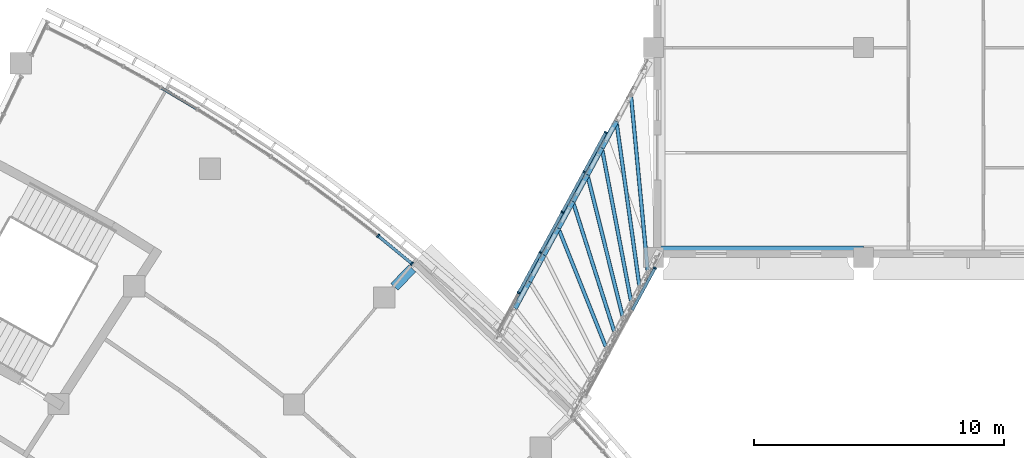
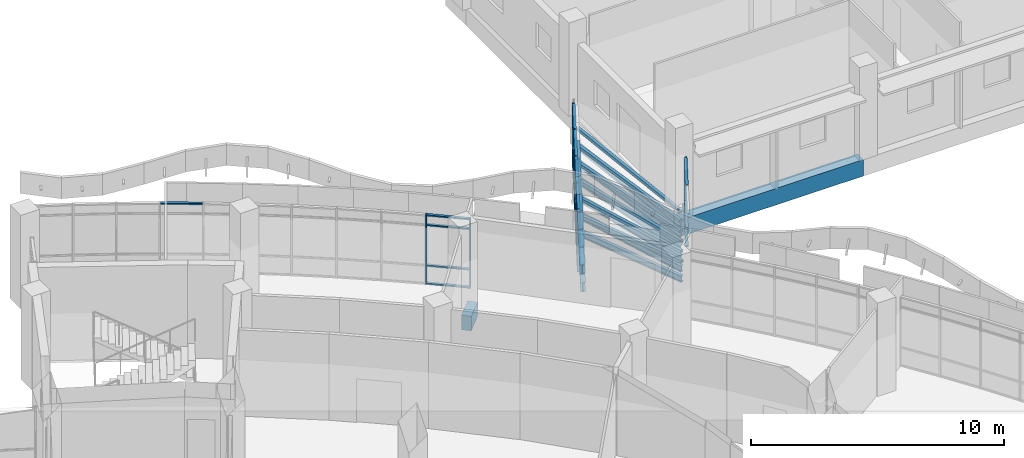
# One storey, part 34 of 136: 54 members, 2 beams, 4 elements without a shape of their own.
"""IFC4 building model written with IfcOpenShell, lengths in metres."""

from ifc_helpers import new_model, si_unit, direction, frame, origin, origin_2d, place, context, subcontext, project, spatial, rectangle, hollow_rectangle, i_section, extrude, material, material_profile, profile_set, type_object, element, aggregate, save


model = new_model("IFC4")

# Units and contexts
model_context = context("Model", 3, precision=1e-05, world=origin(), true_north=direction((0.0, 1.0)))
body_context = subcontext(model_context, "Body", "Model", "MODEL_VIEW")
ifc_project = project(units=[si_unit("LENGTHUNIT", "METRE"), si_unit("AREAUNIT", "SQUARE_METRE"), si_unit("VOLUMEUNIT", "CUBIC_METRE"), si_unit("PLANEANGLEUNIT", "RADIAN"), si_unit("MASSUNIT", "GRAM", prefix="KILO")], contexts=[model_context])

# Site, building, storey
site_placement = place(None, origin())
site = spatial("IfcSite", under=ifc_project, at=site_placement, CompositionType="ELEMENT")
building_placement = place(site_placement, origin())
building = spatial("IfcBuilding", under=site, at=building_placement, Name="Bougainvillea Quay General Hospital", CompositionType="ELEMENT")
storey_placement = place(building_placement, frame((0.0, 0.0, 5.39990234375)))
storey = spatial("IfcBuildingStorey", under=building, at=storey_placement, Name="L01", CompositionType="ELEMENT", Elevation=5.39990234375)

# Curtain wall, members
ifc_material_1 = material(Name="Aluminium curtain wall system, powder-coated glazed", Category="aluminium")
curtain_wall_type = type_object("IfcCurtainWallType", Name="Unitised curtain wall CW-2100", PredefinedType="NOTDEFINED", material=ifc_material_1)
curtain_wall_1_placement = place(storey_placement, origin())
curtain_wall_1 = element("IfcCurtainWall", 1, at=curtain_wall_1_placement, inside=storey, type_object=curtain_wall_type, Name="BG-L L", PredefinedType="NOTDEFINED")
ifc_material_2 = material(Name="Aluminium mullion, powder-coated charcoal", Category="aluminium")
ifc_material_profile_1 = material_profile(ifc_material_2, rectangle(XDim=0.1201171875, YDim=0.06005859375, at=origin_2d()))
ifc_profile_set_1 = profile_set([ifc_material_profile_1], Name="Aluminium mullion, powder-coated charcoal")
member_type_1 = type_object("IfcMemberType", Name="Curtain wall mullion 120x60", PredefinedType="MULLION", material=ifc_profile_set_1)
member_1_placement = place(storey_placement, frame((158.402587890625, 74.183349609375, 0.0), z_axis=(0.0, 0.0, 1.0), x_axis=(-0.878894009781, 0.477017106163, 0.0)))
member_1 = element("IfcMember", 2, at=member_1_placement, type_object=member_type_1, Name="BG-L mullion 2", PredefinedType="MULLION", context=body_context, shape_type="SweptSolid", body=[
    extrude(rectangle(XDim=0.1201171875, YDim=0.06005859375, at=origin_2d()), origin(), (0.0, 0.0, 1.0), 3.0),
])
member_2_placement = place(storey_placement, frame((159.27734375, 75.795166015625, 0.0), z_axis=(0.0, 0.0, 1.0), x_axis=(-0.878894009781, 0.477017106163, 0.0)))
member_2 = element("IfcMember", 3, at=member_2_placement, type_object=member_type_1, Name="BG-L mullion 3", PredefinedType="MULLION", context=body_context, shape_type="SweptSolid", body=[
    extrude(rectangle(XDim=0.1201171875, YDim=0.06005859375, at=origin_2d()), origin(), (0.0, 0.0, 1.0), 3.0),
])
member_3_placement = place(storey_placement, frame((160.152099609375, 77.40673828125, 0.0), z_axis=(0.0, 0.0, 1.0), x_axis=(-0.878894009781, 0.477017106163, 0.0)))
member_3 = element("IfcMember", 4, at=member_3_placement, type_object=member_type_1, Name="BG-L mullion 4", PredefinedType="MULLION", context=body_context, shape_type="SweptSolid", body=[
    extrude(rectangle(XDim=0.1201171875, YDim=0.06005859375, at=origin_2d()), origin(), (0.0, 0.0, 1.0), 3.0),
])
member_4_placement = place(storey_placement, frame((161.02685546875, 79.0185546875, 0.0), z_axis=(0.0, 0.0, 1.0), x_axis=(-0.878894009781, 0.477017106163, 0.0)))
member_4 = element("IfcMember", 5, at=member_4_placement, type_object=member_type_1, Name="BG-L mullion 5", PredefinedType="MULLION", context=body_context, shape_type="SweptSolid", body=[
    extrude(rectangle(XDim=0.1201171875, YDim=0.06005859375, at=origin_2d()), origin(), (0.0, 0.0, 1.0), 3.0),
])
member_5_placement = place(storey_placement, frame((161.88720703125, 80.60400390625, 0.0), z_axis=(0.0, 0.0, 1.0), x_axis=(-0.878894009781, 0.477017106163, 0.0)))
member_5 = element("IfcMember", 6, at=member_5_placement, type_object=member_type_1, Name="BG-L mullion 6", PredefinedType="MULLION", context=body_context, shape_type="SweptSolid", body=[
    extrude(rectangle(XDim=0.1201171875, YDim=0.06005859375, at=origin_2d()), origin(), (0.0, 0.0, 1.0), 3.0),
])

# Curtain wall, member
curtain_wall_2_placement = place(storey_placement, origin())
curtain_wall_2 = element("IfcCurtainWall", 7, at=curtain_wall_2_placement, inside=storey, type_object=curtain_wall_type, Name="BG-R R", PredefinedType="NOTDEFINED")
member_6_placement = place(storey_placement, frame((163.855224609375, 75.173583984375, 0.0), z_axis=(0.0, 0.0, 1.0), x_axis=(0.878894009781, -0.477017106163, 0.0)))
member_6 = element("IfcMember", 8, at=member_6_placement, type_object=member_type_1, Name="BG-R mullion 1", PredefinedType="MULLION", context=body_context, shape_type="SweptSolid", body=[
    extrude(rectangle(XDim=0.1201171875, YDim=0.06005859375, at=origin_2d()), origin(), (0.0, 0.0, 1.0), 3.0),
])

# Curtain wall, members
curtain_wall_3_placement = place(storey_placement, origin())
curtain_wall_3 = element("IfcCurtainWall", 9, at=curtain_wall_3_placement, inside=storey, type_object=curtain_wall_type, Name="CW-E02 a23b1", PredefinedType="NOTDEFINED")
ifc_material_profile_2 = material_profile(ifc_material_2, rectangle(XDim=0.159912109375, YDim=0.06005859375, at=origin_2d()))
ifc_profile_set_2 = profile_set([ifc_material_profile_2], Name="Aluminium mullion, powder-coated charcoal")
member_type_2 = type_object("IfcMemberType", Name="Curtain wall mullion 160x60", PredefinedType="MULLION", material=ifc_profile_set_2)
member_7_placement = place(storey_placement, frame((152.7744140625, 76.464599609375, 0.0), z_axis=(0.0, 0.0, 1.0), x_axis=(0.624719466473, 0.780849273682, 0.0)))
member_7 = element("IfcMember", 10, at=member_7_placement, type_object=member_type_2, Name="CW-E02 mullion 5", PredefinedType="MULLION", context=body_context, shape_type="SweptSolid", body=[
    extrude(rectangle(XDim=0.159912109375, YDim=0.06005859375, at=origin_2d()), origin(), (0.0, 0.0, 1.0), 3.35009765625),
])
member_8_placement = place(storey_placement, frame((154.127197265625, 75.353759765625, 0.0), z_axis=(0.0, 0.0, 1.0), x_axis=(0.634633403626, 0.772813329985, 0.0)))
member_8 = element("IfcMember", 11, at=member_8_placement, type_object=member_type_2, Name="CW-E02 mullion 6", PredefinedType="MULLION", context=body_context, shape_type="SweptSolid", body=[
    extrude(rectangle(XDim=0.159912109375, YDim=0.06005859375, at=origin_2d()), origin(), (0.0, 0.0, 1.0), 3.35009765625),
])

# Curtain wall, member
curtain_wall_4_placement = place(storey_placement, origin())
curtain_wall_4 = element("IfcCurtainWall", 12, at=curtain_wall_4_placement, inside=storey, type_object=curtain_wall_type, Name="CW-E01 a23b0", PredefinedType="NOTDEFINED")
ifc_material_3 = material(Name="Aluminium transom, powder-coated charcoal", Category="aluminium")
ifc_material_profile_3 = material_profile(ifc_material_3, rectangle(XDim=0.1201171875, YDim=0.06005859375, at=origin_2d()))
ifc_profile_set_3 = profile_set([ifc_material_profile_3], Name="Aluminium transom, powder-coated charcoal")
member_type_3 = type_object("IfcMemberType", Name="Curtain wall transom 120x60", PredefinedType="USERDEFINED", material=ifc_profile_set_3)
member_9_placement = place(storey_placement, frame((144.099609375, 82.39111328125, 3.320068359375), z_axis=(0.859856770964, -0.510535340038, 0.0), x_axis=(0.510535340038, 0.859856770964, 0.0)))
member_9 = element("IfcMember", 13, at=member_9_placement, type_object=member_type_3, Name="CW-E01 transom 4.4", ObjectType="TRANSOM", PredefinedType="USERDEFINED", context=body_context, shape_type="SweptSolid", body=[
    extrude(rectangle(XDim=0.1201171875, YDim=0.06005859375, at=origin_2d()), origin(), (0.0, 0.0, 1.0), 1.652099609375),
])
aggregate(curtain_wall_4, [member_9])

# Member
member_10_placement = place(storey_placement, frame((152.797607421875, 76.445556640625, 0.030029296875), z_axis=(0.7728299722, -0.634613137329, 0.0), x_axis=(0.634613137329, 0.7728299722, 0.0)))
member_10 = element("IfcMember", 14, at=member_10_placement, type_object=member_type_3, Name="CW-E02 transom 5.1", ObjectType="TRANSOM", PredefinedType="USERDEFINED", context=body_context, shape_type="SweptSolid", body=[
    extrude(rectangle(XDim=0.1201171875, YDim=0.06005859375, at=origin_2d()), origin(), (0.0, 0.0, 1.0), 1.6904296875),
])

member_11_placement = place(storey_placement, frame((152.797607421875, 76.445556640625, 0.900146484375), z_axis=(0.7728299722, -0.634613137329, 0.0), x_axis=(0.634613137329, 0.7728299722, 0.0)))
member_11 = element("IfcMember", 15, at=member_11_placement, type_object=member_type_3, Name="CW-E02 transom 5.2", ObjectType="TRANSOM", PredefinedType="USERDEFINED", context=body_context, shape_type="SweptSolid", body=[
    extrude(rectangle(XDim=0.1201171875, YDim=0.06005859375, at=origin_2d()), origin(), (0.0, 0.0, 1.0), 1.6904296875),
])

member_12_placement = place(storey_placement, frame((152.797607421875, 76.445556640625, 2.85009765625), z_axis=(0.7728299722, -0.634613137329, 0.0), x_axis=(0.634613137329, 0.7728299722, 0.0)))
member_12 = element("IfcMember", 16, at=member_12_placement, type_object=member_type_3, Name="CW-E02 transom 5.3", ObjectType="TRANSOM", PredefinedType="USERDEFINED", context=body_context, shape_type="SweptSolid", body=[
    extrude(rectangle(XDim=0.1201171875, YDim=0.06005859375, at=origin_2d()), origin(), (0.0, 0.0, 1.0), 1.6904296875),
])

member_13_placement = place(storey_placement, frame((152.797607421875, 76.445556640625, 3.320068359375), z_axis=(0.7728299722, -0.634613137329, 0.0), x_axis=(0.634613137329, 0.7728299722, 0.0)))
member_13 = element("IfcMember", 17, at=member_13_placement, type_object=member_type_3, Name="CW-E02 transom 5.4", ObjectType="TRANSOM", PredefinedType="USERDEFINED", context=body_context, shape_type="SweptSolid", body=[
    extrude(rectangle(XDim=0.1201171875, YDim=0.06005859375, at=origin_2d()), origin(), (0.0, 0.0, 1.0), 1.6904296875),
])

aggregate(curtain_wall_3, [member_7, member_8, member_10, member_11, member_12, member_13])

member_14_placement = place(storey_placement, frame((158.416748046875, 74.209716796875, 0.030029296875), z_axis=(0.477018968705, 0.878892998889, 0.0), x_axis=(-0.878892998889, 0.477018968705, 0.0)))
member_14 = element("IfcMember", 18, at=member_14_placement, type_object=member_type_3, Name="BG-L transom 2.1", ObjectType="TRANSOM", PredefinedType="USERDEFINED", context=body_context, shape_type="SweptSolid", body=[
    extrude(rectangle(XDim=0.1201171875, YDim=0.06005859375, at=origin_2d()), origin(), (0.0, 0.0, 1.0), 1.77392578125),
])

member_15_placement = place(storey_placement, frame((158.416748046875, 74.209716796875, 0.900146484375), z_axis=(0.477018968705, 0.878892998889, 0.0), x_axis=(-0.878892998889, 0.477018968705, 0.0)))
member_15 = element("IfcMember", 19, at=member_15_placement, type_object=member_type_3, Name="BG-L transom 2.2", ObjectType="TRANSOM", PredefinedType="USERDEFINED", context=body_context, shape_type="SweptSolid", body=[
    extrude(rectangle(XDim=0.1201171875, YDim=0.06005859375, at=origin_2d()), origin(), (0.0, 0.0, 1.0), 1.77392578125),
])

member_16_placement = place(storey_placement, frame((158.416748046875, 74.209716796875, 2.97021484375), z_axis=(0.477018968705, 0.878892998889, 0.0), x_axis=(-0.878892998889, 0.477018968705, 0.0)))
member_16 = element("IfcMember", 20, at=member_16_placement, type_object=member_type_3, Name="BG-L transom 2.3", ObjectType="TRANSOM", PredefinedType="USERDEFINED", context=body_context, shape_type="SweptSolid", body=[
    extrude(rectangle(XDim=0.1201171875, YDim=0.06005859375, at=origin_2d()), origin(), (0.0, 0.0, 1.0), 1.77392578125),
])

member_17_placement = place(storey_placement, frame((159.29150390625, 75.821533203125, 0.030029296875), z_axis=(0.477076675046, 0.878861676333, 0.0), x_axis=(-0.878861676333, 0.477076675046, 0.0)))
member_17 = element("IfcMember", 21, at=member_17_placement, type_object=member_type_3, Name="BG-L transom 3.1", ObjectType="TRANSOM", PredefinedType="USERDEFINED", context=body_context, shape_type="SweptSolid", body=[
    extrude(rectangle(XDim=0.1201171875, YDim=0.06005859375, at=origin_2d()), origin(), (0.0, 0.0, 1.0), 1.773681640625),
])

member_18_placement = place(storey_placement, frame((159.29150390625, 75.821533203125, 0.900146484375), z_axis=(0.477076675046, 0.878861676333, 0.0), x_axis=(-0.878861676333, 0.477076675046, 0.0)))
member_18 = element("IfcMember", 22, at=member_18_placement, type_object=member_type_3, Name="BG-L transom 3.2", ObjectType="TRANSOM", PredefinedType="USERDEFINED", context=body_context, shape_type="SweptSolid", body=[
    extrude(rectangle(XDim=0.1201171875, YDim=0.06005859375, at=origin_2d()), origin(), (0.0, 0.0, 1.0), 1.773681640625),
])

member_19_placement = place(storey_placement, frame((159.29150390625, 75.821533203125, 2.97021484375), z_axis=(0.477076675046, 0.878861676333, 0.0), x_axis=(-0.878861676333, 0.477076675046, 0.0)))
member_19 = element("IfcMember", 23, at=member_19_placement, type_object=member_type_3, Name="BG-L transom 3.3", ObjectType="TRANSOM", PredefinedType="USERDEFINED", context=body_context, shape_type="SweptSolid", body=[
    extrude(rectangle(XDim=0.1201171875, YDim=0.06005859375, at=origin_2d()), origin(), (0.0, 0.0, 1.0), 1.773681640625),
])

member_20_placement = place(storey_placement, frame((160.166259765625, 77.43310546875, 0.030029296875), z_axis=(0.477018968705, 0.878892998889, 0.0), x_axis=(-0.878892998889, 0.477018968705, 0.0)))
member_20 = element("IfcMember", 24, at=member_20_placement, type_object=member_type_3, Name="BG-L transom 4.1", ObjectType="TRANSOM", PredefinedType="USERDEFINED", context=body_context, shape_type="SweptSolid", body=[
    extrude(rectangle(XDim=0.1201171875, YDim=0.06005859375, at=origin_2d()), origin(), (0.0, 0.0, 1.0), 1.77392578125),
])

member_21_placement = place(storey_placement, frame((160.166259765625, 77.43310546875, 0.900146484375), z_axis=(0.477018968705, 0.878892998889, 0.0), x_axis=(-0.878892998889, 0.477018968705, 0.0)))
member_21 = element("IfcMember", 25, at=member_21_placement, type_object=member_type_3, Name="BG-L transom 4.2", ObjectType="TRANSOM", PredefinedType="USERDEFINED", context=body_context, shape_type="SweptSolid", body=[
    extrude(rectangle(XDim=0.1201171875, YDim=0.06005859375, at=origin_2d()), origin(), (0.0, 0.0, 1.0), 1.77392578125),
])

member_22_placement = place(storey_placement, frame((160.166259765625, 77.43310546875, 2.97021484375), z_axis=(0.477018968705, 0.878892998889, 0.0), x_axis=(-0.878892998889, 0.477018968705, 0.0)))
member_22 = element("IfcMember", 26, at=member_22_placement, type_object=member_type_3, Name="BG-L transom 4.3", ObjectType="TRANSOM", PredefinedType="USERDEFINED", context=body_context, shape_type="SweptSolid", body=[
    extrude(rectangle(XDim=0.1201171875, YDim=0.06005859375, at=origin_2d()), origin(), (0.0, 0.0, 1.0), 1.77392578125),
])

member_23_placement = place(storey_placement, frame((161.041015625, 79.044921875, 0.030029296875), z_axis=(0.47708568427, 0.878856785753, 0.0), x_axis=(-0.878856785753, 0.47708568427, 0.0)))
member_23 = element("IfcMember", 27, at=member_23_placement, type_object=member_type_3, Name="BG-L transom 5.1", ObjectType="TRANSOM", PredefinedType="USERDEFINED", context=body_context, shape_type="SweptSolid", body=[
    extrude(rectangle(XDim=0.1201171875, YDim=0.06005859375, at=origin_2d()), origin(), (0.0, 0.0, 1.0), 1.743896484375),
])

member_24_placement = place(storey_placement, frame((161.041015625, 79.044921875, 0.900146484375), z_axis=(0.47708568427, 0.878856785753, 0.0), x_axis=(-0.878856785753, 0.47708568427, 0.0)))
member_24 = element("IfcMember", 28, at=member_24_placement, type_object=member_type_3, Name="BG-L transom 5.2", ObjectType="TRANSOM", PredefinedType="USERDEFINED", context=body_context, shape_type="SweptSolid", body=[
    extrude(rectangle(XDim=0.1201171875, YDim=0.06005859375, at=origin_2d()), origin(), (0.0, 0.0, 1.0), 1.743896484375),
])

member_25_placement = place(storey_placement, frame((161.041015625, 79.044921875, 2.97021484375), z_axis=(0.47708568427, 0.878856785753, 0.0), x_axis=(-0.878856785753, 0.47708568427, 0.0)))
member_25 = element("IfcMember", 29, at=member_25_placement, type_object=member_type_3, Name="BG-L transom 5.3", ObjectType="TRANSOM", PredefinedType="USERDEFINED", context=body_context, shape_type="SweptSolid", body=[
    extrude(rectangle(XDim=0.1201171875, YDim=0.06005859375, at=origin_2d()), origin(), (0.0, 0.0, 1.0), 1.743896484375),
])

aggregate(curtain_wall_1, [member_1, member_2, member_3, member_4, member_5, member_14, member_15, member_16, member_17, member_18, member_19, member_20, member_21, member_22, member_23, member_24, member_25])

member_26_placement = place(storey_placement, frame((163.8408203125, 75.147216796875, 0.030029296875), z_axis=(-0.476948498546, -0.878931242894, 0.0), x_axis=(0.878931242894, -0.476948498546, 0.0)))
member_26 = element("IfcMember", 30, at=member_26_placement, type_object=member_type_3, Name="BG-R transom 1.1", ObjectType="TRANSOM", PredefinedType="USERDEFINED", context=body_context, shape_type="SweptSolid", body=[
    extrude(rectangle(XDim=0.1201171875, YDim=0.06005859375, at=origin_2d()), origin(), (0.0, 0.0, 1.0), 1.879150390625),
])

member_27_placement = place(storey_placement, frame((163.8408203125, 75.147216796875, 0.900146484375), z_axis=(-0.476948498546, -0.878931242894, 0.0), x_axis=(0.878931242894, -0.476948498546, 0.0)))
member_27 = element("IfcMember", 31, at=member_27_placement, type_object=member_type_3, Name="BG-R transom 1.2", ObjectType="TRANSOM", PredefinedType="USERDEFINED", context=body_context, shape_type="SweptSolid", body=[
    extrude(rectangle(XDim=0.1201171875, YDim=0.06005859375, at=origin_2d()), origin(), (0.0, 0.0, 1.0), 1.879150390625),
])

member_28_placement = place(storey_placement, frame((163.8408203125, 75.147216796875, 2.97021484375), z_axis=(-0.476948498546, -0.878931242894, 0.0), x_axis=(0.878931242894, -0.476948498546, 0.0)))
member_28 = element("IfcMember", 32, at=member_28_placement, type_object=member_type_3, Name="BG-R transom 1.3", ObjectType="TRANSOM", PredefinedType="USERDEFINED", context=body_context, shape_type="SweptSolid", body=[
    extrude(rectangle(XDim=0.1201171875, YDim=0.06005859375, at=origin_2d()), origin(), (0.0, 0.0, 1.0), 1.879150390625),
])

aggregate(curtain_wall_2, [member_6, member_26, member_27, member_28])

# Members
ifc_material_4 = material(Name="Steel Q355", Category="steel")
ifc_material_profile_4 = material_profile(ifc_material_4, i_section(OverallWidth=0.14990234375, OverallDepth=0.300048828125, WebThickness=0.006591796875, FlangeThickness=0.009033203125, FilletRadius=0.012939453125, at=origin_2d()))
ifc_profile_set_4 = profile_set([ifc_material_profile_4], Name="Steel Q355")
member_type_4 = type_object("IfcMemberType", Name="HN 300x150x6.5x9 Q355 STRUT", PredefinedType="STRUT", material=ifc_profile_set_4)
member_29_placement = place(storey_placement, frame((160.02734375, 76.6806640625, -0.27001953125), z_axis=(0.371441195067, -0.928456481806, 0.0), x_axis=(0.928456481806, 0.371441195067, 0.0)))
element("IfcMember", 33, at=member_29_placement, inside=storey, type_object=member_type_4, Name="Bridge floor beam", PredefinedType="STRUT", context=body_context, shape_type="SweptSolid", body=[
    extrude(i_section(OverallWidth=0.14990234375, OverallDepth=0.300048828125, WebThickness=0.006591796875, FlangeThickness=0.009033203125, FilletRadius=0.012939453125, at=origin_2d()), origin(), (0.0, 0.0, 1.0), 4.999267578125),
])
member_30_placement = place(storey_placement, frame((160.60107421875, 77.74755859375, -0.27001953125), z_axis=(0.302996403045, -0.952991699724, 0.0), x_axis=(0.952991699724, 0.302996403045, 0.0)))
element("IfcMember", 34, at=member_30_placement, inside=storey, type_object=member_type_4, Name="Bridge floor beam", PredefinedType="STRUT", context=body_context, shape_type="SweptSolid", body=[
    extrude(i_section(OverallWidth=0.14990234375, OverallDepth=0.300048828125, WebThickness=0.006591796875, FlangeThickness=0.009033203125, FilletRadius=0.012939453125, at=origin_2d()), origin(), (0.0, 0.0, 1.0), 5.3486328125),
])
member_31_placement = place(storey_placement, frame((161.175537109375, 78.8154296875, -0.27001953125), z_axis=(0.241592104833, -0.970377892824, 0.0), x_axis=(0.970377892824, 0.241592104833, 0.0)))
element("IfcMember", 35, at=member_31_placement, inside=storey, type_object=member_type_4, Name="Bridge floor beam", PredefinedType="STRUT", context=body_context, shape_type="SweptSolid", body=[
    extrude(i_section(OverallWidth=0.14990234375, OverallDepth=0.300048828125, WebThickness=0.006591796875, FlangeThickness=0.009033203125, FilletRadius=0.012939453125, at=origin_2d()), origin(), (0.0, 0.0, 1.0), 5.7236328125),
])
member_32_placement = place(storey_placement, frame((161.75048828125, 79.8837890625, -0.27001953125), z_axis=(0.18688663914, -0.982381486038, 0.0), x_axis=(0.982381486038, 0.18688663914, 0.0)))
element("IfcMember", 36, at=member_32_placement, inside=storey, type_object=member_type_4, Name="Bridge floor beam", PredefinedType="STRUT", context=body_context, shape_type="SweptSolid", body=[
    extrude(i_section(OverallWidth=0.14990234375, OverallDepth=0.300048828125, WebThickness=0.006591796875, FlangeThickness=0.009033203125, FilletRadius=0.012939453125, at=origin_2d()), origin(), (0.0, 0.0, 1.0), 6.120361328125),
])
member_33_placement = place(storey_placement, frame((162.326171875, 80.95263671875, -0.27001953125), z_axis=(0.138282115978, -0.990392879821, 0.0), x_axis=(0.990392879821, 0.138282115978, 0.0)))
element("IfcMember", 37, at=member_33_placement, inside=storey, type_object=member_type_4, Name="Bridge floor beam", PredefinedType="STRUT", context=body_context, shape_type="SweptSolid", body=[
    extrude(i_section(OverallWidth=0.14990234375, OverallDepth=0.300048828125, WebThickness=0.006591796875, FlangeThickness=0.009033203125, FilletRadius=0.012939453125, at=origin_2d()), origin(), (0.0, 0.0, 1.0), 6.5341796875),
])
member_34_placement = place(storey_placement, frame((162.90234375, 82.021728515625, -0.27001953125), z_axis=(0.09509369851, -0.995468326218, 0.0), x_axis=(0.995468326218, 0.09509369851, 0.0)))
element("IfcMember", 38, at=member_34_placement, inside=storey, type_object=member_type_4, Name="Bridge floor beam", PredefinedType="STRUT", context=body_context, shape_type="SweptSolid", body=[
    extrude(i_section(OverallWidth=0.14990234375, OverallDepth=0.300048828125, WebThickness=0.006591796875, FlangeThickness=0.009033203125, FilletRadius=0.012939453125, at=origin_2d()), origin(), (0.0, 0.0, 1.0), 6.962646484375),
])
ifc_material_profile_5 = material_profile(ifc_material_4, i_section(OverallWidth=0.199951171875, OverallDepth=0.449951171875, WebThickness=0.009033203125, FlangeThickness=0.013916015625, FilletRadius=0.012939453125, at=origin_2d()))
ifc_profile_set_5 = profile_set([ifc_material_profile_5], Name="Steel Q355")
member_type_5 = type_object("IfcMemberType", Name="HN 450x200x9x14 Q355 CHORD", PredefinedType="CHORD", material=ifc_profile_set_5)
for number, where, z_axis, x_axis, name in (
    (39, (158.248779296875, 73.564697265625, -0.344970703125), (0.477052018567, 0.878875060279, 0.0), (-0.878875060279, 0.477052018567, 0.0), "Bottom chord"),
    (40, (158.248779296875, 73.564697265625, 0.55517578125), (0.477052018567, 0.878875060279, 0.0), (-0.878875060279, 0.477052018567, 0.0), "Top chord"),
    (41, (158.829345703125, 74.63427734375, -0.344970703125), (0.477052018567, 0.878875060279, 0.0), (-0.878875060279, 0.477052018567, 0.0), "Bottom chord"),
    (42, (158.829345703125, 74.63427734375, 0.55517578125), (0.477052018567, 0.878875060279, 0.0), (-0.878875060279, 0.477052018567, 0.0), "Top chord"),
):
    element("IfcMember", number, at=place(storey_placement, frame(where, z_axis=z_axis, x_axis=x_axis)), inside=storey, type_object=member_type_5, Name=name, PredefinedType="CHORD", context=body_context, shape_type="SweptSolid", body=[
        extrude(i_section(OverallWidth=0.199951171875, OverallDepth=0.449951171875, WebThickness=0.009033203125, FlangeThickness=0.013916015625, FilletRadius=0.012939453125, at=origin_2d()), origin(), (0.0, 0.0, 1.0), 1.217041015625),
    ])
for number, where, z_axis, x_axis, name in (
    (43, (159.409912109375, 75.703857421875, -0.344970703125), (0.476897040404, 0.878959164497, 0.0), (-0.878959164497, 0.476897040404, 0.0), "Bottom chord"),
    (44, (159.409912109375, 75.703857421875, 0.55517578125), (0.476897040404, 0.878959164497, 0.0), (-0.878959164497, 0.476897040404, 0.0), "Top chord"),
):
    element("IfcMember", number, at=place(storey_placement, frame(where, z_axis=z_axis, x_axis=x_axis)), inside=storey, type_object=member_type_5, Name=name, PredefinedType="CHORD", context=body_context, shape_type="SweptSolid", body=[
        extrude(i_section(OverallWidth=0.199951171875, OverallDepth=0.449951171875, WebThickness=0.009033203125, FlangeThickness=0.013916015625, FilletRadius=0.012939453125, at=origin_2d()), origin(), (0.0, 0.0, 1.0), 1.216796875),
    ])
for number, where, z_axis, x_axis, name in (
    (45, (159.990234375, 76.7734375, -0.344970703125), (0.477052018567, 0.878875060279, 0.0), (-0.878875060279, 0.477052018567, 0.0), "Bottom chord"),
    (46, (159.990234375, 76.7734375, 0.55517578125), (0.477052018567, 0.878875060279, 0.0), (-0.878875060279, 0.477052018567, 0.0), "Top chord"),
    (47, (160.57080078125, 77.843017578125, -0.344970703125), (0.477052018567, 0.878875060279, 0.0), (-0.878875060279, 0.477052018567, 0.0), "Bottom chord"),
    (48, (160.57080078125, 77.843017578125, 0.55517578125), (0.477052018567, 0.878875060279, 0.0), (-0.878875060279, 0.477052018567, 0.0), "Top chord"),
):
    element("IfcMember", number, at=place(storey_placement, frame(where, z_axis=z_axis, x_axis=x_axis)), inside=storey, type_object=member_type_5, Name=name, PredefinedType="CHORD", context=body_context, shape_type="SweptSolid", body=[
        extrude(i_section(OverallWidth=0.199951171875, OverallDepth=0.449951171875, WebThickness=0.009033203125, FlangeThickness=0.013916015625, FilletRadius=0.012939453125, at=origin_2d()), origin(), (0.0, 0.0, 1.0), 1.217041015625),
    ])
for number, where, z_axis, x_axis, name in (
    (49, (161.1513671875, 78.91259765625, -0.344970703125), (0.476897040404, 0.878959164497, 0.0), (-0.878959164497, 0.476897040404, 0.0), "Bottom chord"),
    (50, (161.1513671875, 78.91259765625, 0.55517578125), (0.476897040404, 0.878959164497, 0.0), (-0.878959164497, 0.476897040404, 0.0), "Top chord"),
    (51, (161.731689453125, 79.982177734375, -0.344970703125), (0.477136141046, 0.878829393516, 0.0), (-0.878829393516, 0.477136141046, 0.0), "Bottom chord"),
    (52, (161.731689453125, 79.982177734375, 0.55517578125), (0.477136141046, 0.878829393516, 0.0), (-0.878829393516, 0.477136141046, 0.0), "Top chord"),
):
    element("IfcMember", number, at=place(storey_placement, frame(where, z_axis=z_axis, x_axis=x_axis)), inside=storey, type_object=member_type_5, Name=name, PredefinedType="CHORD", context=body_context, shape_type="SweptSolid", body=[
        extrude(i_section(OverallWidth=0.199951171875, OverallDepth=0.449951171875, WebThickness=0.009033203125, FlangeThickness=0.013916015625, FilletRadius=0.012939453125, at=origin_2d()), origin(), (0.0, 0.0, 1.0), 1.216796875),
    ])

# Beams
ifc_material_5 = material(Name="Concrete C40", Category="concrete")
ifc_material_profile_6 = material_profile(ifc_material_5, rectangle(XDim=0.39990234375, YDim=0.699951171875, at=origin_2d()))
ifc_profile_set_6 = profile_set([ifc_material_profile_6], Name="Concrete C40")
beam_type_1 = type_object("IfcBeamType", Name="RC BEAM 400x700 C40", PredefinedType="BEAM", material=ifc_profile_set_6)
beam_1_placement = place(storey_placement, frame((153.42919921875, 74.4208984375, -0.89990234375), z_axis=(0.691874431959, 0.722017846318, 0.0), x_axis=(-0.722017846318, 0.691874431959, 0.0)))
element("IfcBeam", 53, at=beam_1_placement, inside=storey, type_object=beam_type_1, Name="Landing stub beam", PredefinedType="BEAM", context=body_context, shape_type="SweptSolid", body=[
    extrude(rectangle(XDim=0.39990234375, YDim=0.699951171875, at=origin_2d()), origin(), (0.0, 0.0, 1.0), 1.028564453125),
])
ifc_material_profile_7 = material_profile(ifc_material_5, rectangle(XDim=0.449951171875, YDim=0.800048828125, at=origin_2d()))
ifc_profile_set_7 = profile_set([ifc_material_profile_7], Name="Concrete C40")
beam_type_2 = type_object("IfcBeamType", Name="RC BEAM 450x800 C40", PredefinedType="BEAM", material=ifc_profile_set_7)
beam_2_placement = place(storey_placement, frame((163.800048828125, 75.824951171875, -0.699951171875), z_axis=(1.0, 0.0, 0.0), x_axis=(0.0, 1.0, 0.0)))
element("IfcBeam", 54, at=beam_2_placement, inside=storey, type_object=beam_type_2, Name="Edge beam L01", PredefinedType="BEAM", context=body_context, shape_type="SweptSolid", body=[
    extrude(rectangle(XDim=0.449951171875, YDim=0.800048828125, at=origin_2d()), origin(), (0.0, 0.0, 1.0), 8.39990234375),
])

# Members
ifc_material_profile_8 = material_profile(ifc_material_4, hollow_rectangle(XDim=0.14990234375, YDim=0.14990234375, WallThickness=0.008056640625, InnerFilletRadius=0.008056640625, OuterFilletRadius=0.01611328125, at=origin_2d()))
ifc_profile_set_8 = profile_set([ifc_material_profile_8], Name="Steel Q355")
member_type_6 = type_object("IfcMemberType", Name="SHS 150x150x8 Q355 STRUT", PredefinedType="STRUT", material=ifc_profile_set_8)
member_35_placement = place(storey_placement, frame((160.02734375, 76.6806640625, 0.55517578125), z_axis=(0.371441195067, -0.928456481806, 0.0), x_axis=(0.928456481806, 0.371441195067, 0.0)))
element("IfcMember", 55, at=member_35_placement, inside=storey, type_object=member_type_6, Name="Top strut", PredefinedType="STRUT", context=body_context, shape_type="SweptSolid", body=[
    extrude(hollow_rectangle(XDim=0.14990234375, YDim=0.14990234375, WallThickness=0.008056640625, InnerFilletRadius=0.008056640625, OuterFilletRadius=0.01611328125, at=origin_2d()), origin(), (0.0, 0.0, 1.0), 4.999267578125),
])
member_36_placement = place(storey_placement, frame((160.60107421875, 77.74755859375, 0.55517578125), z_axis=(0.302996403045, -0.952991699724, 0.0), x_axis=(0.952991699724, 0.302996403045, 0.0)))
element("IfcMember", 56, at=member_36_placement, inside=storey, type_object=member_type_6, Name="Top strut", PredefinedType="STRUT", context=body_context, shape_type="SweptSolid", body=[
    extrude(hollow_rectangle(XDim=0.14990234375, YDim=0.14990234375, WallThickness=0.008056640625, InnerFilletRadius=0.008056640625, OuterFilletRadius=0.01611328125, at=origin_2d()), origin(), (0.0, 0.0, 1.0), 5.3486328125),
])
member_37_placement = place(storey_placement, frame((161.175537109375, 78.8154296875, 0.55517578125), z_axis=(0.241592104833, -0.970377892824, 0.0), x_axis=(0.970377892824, 0.241592104833, 0.0)))
element("IfcMember", 57, at=member_37_placement, inside=storey, type_object=member_type_6, Name="Top strut", PredefinedType="STRUT", context=body_context, shape_type="SweptSolid", body=[
    extrude(hollow_rectangle(XDim=0.14990234375, YDim=0.14990234375, WallThickness=0.008056640625, InnerFilletRadius=0.008056640625, OuterFilletRadius=0.01611328125, at=origin_2d()), origin(), (0.0, 0.0, 1.0), 5.7236328125),
])
member_38_placement = place(storey_placement, frame((161.75048828125, 79.8837890625, 0.55517578125), z_axis=(0.18688663914, -0.982381486038, 0.0), x_axis=(0.982381486038, 0.18688663914, 0.0)))
element("IfcMember", 58, at=member_38_placement, inside=storey, type_object=member_type_6, Name="Top strut", PredefinedType="STRUT", context=body_context, shape_type="SweptSolid", body=[
    extrude(hollow_rectangle(XDim=0.14990234375, YDim=0.14990234375, WallThickness=0.008056640625, InnerFilletRadius=0.008056640625, OuterFilletRadius=0.01611328125, at=origin_2d()), origin(), (0.0, 0.0, 1.0), 6.120361328125),
])
member_39_placement = place(storey_placement, frame((162.326171875, 80.95263671875, 0.55517578125), z_axis=(0.138282115978, -0.990392879821, 0.0), x_axis=(0.990392879821, 0.138282115978, 0.0)))
element("IfcMember", 59, at=member_39_placement, inside=storey, type_object=member_type_6, Name="Top strut", PredefinedType="STRUT", context=body_context, shape_type="SweptSolid", body=[
    extrude(hollow_rectangle(XDim=0.14990234375, YDim=0.14990234375, WallThickness=0.008056640625, InnerFilletRadius=0.008056640625, OuterFilletRadius=0.01611328125, at=origin_2d()), origin(), (0.0, 0.0, 1.0), 6.5341796875),
])
member_40_placement = place(storey_placement, frame((162.90234375, 82.021728515625, 0.55517578125), z_axis=(0.09509369851, -0.995468326218, 0.0), x_axis=(0.995468326218, 0.09509369851, 0.0)))
element("IfcMember", 60, at=member_40_placement, inside=storey, type_object=member_type_6, Name="Top strut", PredefinedType="STRUT", context=body_context, shape_type="SweptSolid", body=[
    extrude(hollow_rectangle(XDim=0.14990234375, YDim=0.14990234375, WallThickness=0.008056640625, InnerFilletRadius=0.008056640625, OuterFilletRadius=0.01611328125, at=origin_2d()), origin(), (0.0, 0.0, 1.0), 6.962646484375),
])

save(model, "model.ifc")
